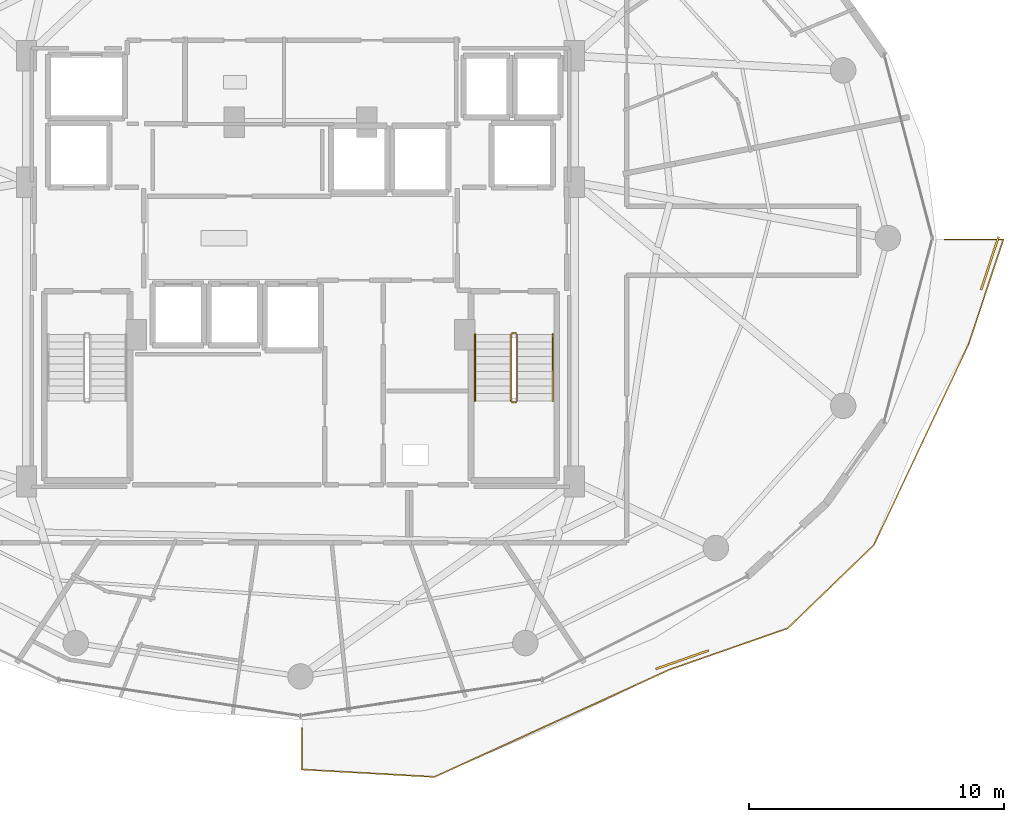
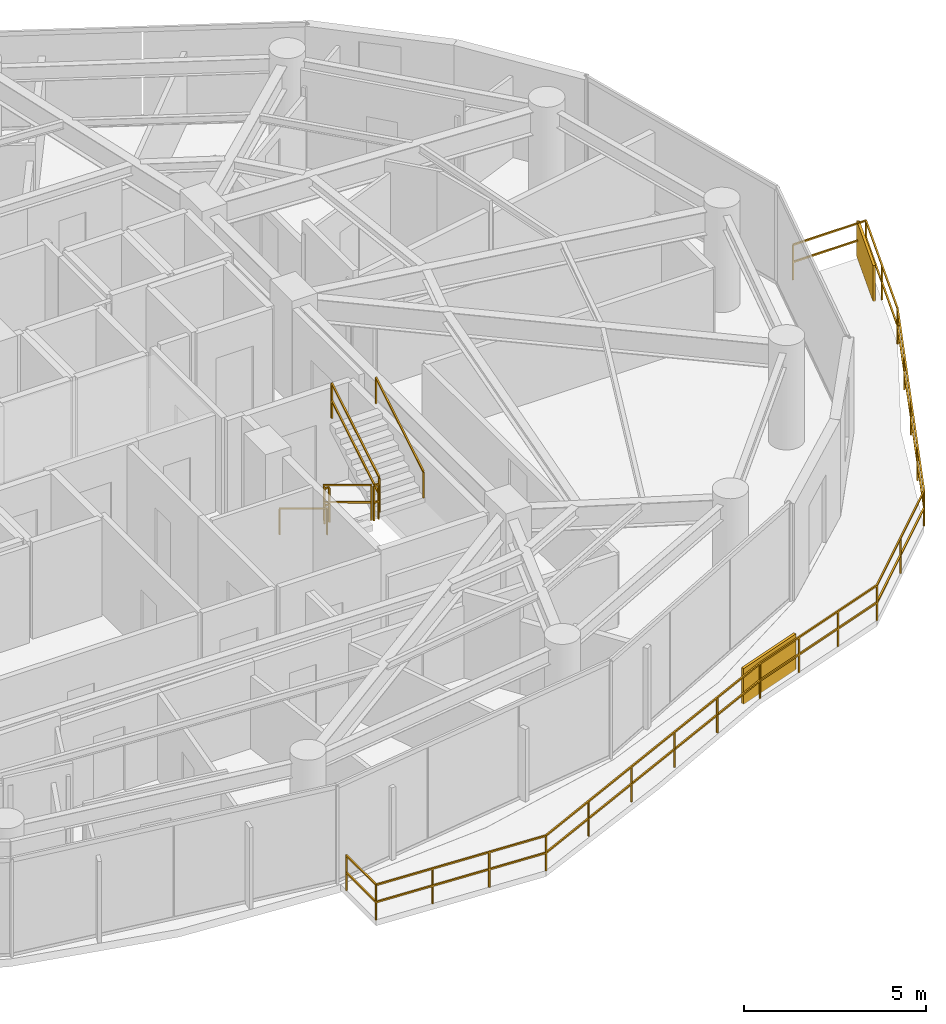
# One storey, part 27 of 29: 8 railings, 2 shading devices.
"""IFC4 building model written with IfcOpenShell, lengths in metres."""

from ifc_helpers import new_model, si_unit, direction, frame, origin, origin_2d, place, context, subcontext, project, spatial, rectangle, extrude, material, type_object, element, save


model = new_model("IFC4")

# Units and contexts
model_context = context("Model", 3, precision=1e-05, world=origin(), true_north=direction((0.0, 1.0)))
body_context = subcontext(model_context, "Body", "Model", "MODEL_VIEW")
ifc_project = project(units=[si_unit("LENGTHUNIT", "METRE"), si_unit("AREAUNIT", "SQUARE_METRE"), si_unit("VOLUMEUNIT", "CUBIC_METRE"), si_unit("PLANEANGLEUNIT", "RADIAN"), si_unit("MASSUNIT", "GRAM", prefix="KILO")], contexts=[model_context])

# Site, building, storey
site_placement = place(None, origin())
site = spatial("IfcSite", under=ifc_project, at=site_placement, CompositionType="ELEMENT")
building_placement = place(site_placement, origin())
building = spatial("IfcBuilding", under=site, at=building_placement, Name="Vorneva Point Tower", CompositionType="ELEMENT")
storey_placement = place(building_placement, frame((0.0, 0.0, 150.10009765625)))
storey = spatial("IfcBuildingStorey", under=building, at=storey_placement, Name="L40", CompositionType="ELEMENT", Elevation=150.10009765625)

# Railings
ifc_material_1 = material(Name="Pale anodised aluminium", Category="aluminium")
railing_type_1 = type_object("IfcRailingType", Name="RL-BAL-1200", PredefinedType="BALUSTRADE", material=ifc_material_1)
railing_1_placement = place(storey_placement, frame((64.224609375, 21.852294921875, 0.0)))
element("IfcRailing", 1, at=railing_1_placement, inside=storey, type_object=railing_type_1, Name="L40 Wave Balcony Balustrade SE.1", PredefinedType="BALUSTRADE", context=body_context, shape_type="SweptSolid", body=[
    extrude(rectangle(XDim=0.048095703125, YDim=0.048095703125, at=origin_2d()), frame((0.0, 0.0, 1.17578125), z_axis=(0.314768350801, 0.949168523148, 0.0), x_axis=(-0.949168523148, 0.314768350801, 0.0)), (0.0, 0.0, 1.0), 4.317138671875),
    extrude(rectangle(XDim=0.048095703125, YDim=0.048095703125, at=origin_2d()), frame((0.0, 0.0, 0.60009765625), z_axis=(0.314768350801, 0.949168523148, 0.0), x_axis=(-0.949168523148, 0.314768350801, 0.0)), (0.0, 0.0, 1.0), 4.317138671875),
    extrude(rectangle(XDim=0.048095703125, YDim=0.048095703125, at=origin_2d()), frame((1.35888671875, 4.09765625, 1.17578125), z_axis=(-1.0, 0.0, 0.0), x_axis=(0.0, -1.0, 0.0)), (0.0, 0.0, 1.0), 2.3173828125),
    extrude(rectangle(XDim=0.048095703125, YDim=0.048095703125, at=origin_2d()), frame((1.35888671875, 4.09765625, 0.60009765625), z_axis=(-1.0, 0.0, 0.0), x_axis=(0.0, -1.0, 0.0)), (0.0, 0.0, 1.0), 2.3173828125),
    extrude(rectangle(XDim=0.0419921875, YDim=0.0419921875, at=origin_2d()), origin(), (0.0, 0.0, 1.0), 1.15185546875),
    extrude(rectangle(XDim=0.0419921875, YDim=0.0419921875, at=origin_2d()), frame((0.679443359375, 2.048828125, 0.0)), (0.0, 0.0, 1.0), 1.15185546875),
    extrude(rectangle(XDim=0.0419921875, YDim=0.0419921875, at=origin_2d()), frame((1.35888671875, 4.09765625, 0.0)), (0.0, 0.0, 1.0), 1.15185546875),
    extrude(rectangle(XDim=0.0419921875, YDim=0.0419921875, at=origin_2d()), frame((-0.95849609375, 4.09765625, 0.0)), (0.0, 0.0, 1.0), 1.15185546875),
])
railing_2_placement = place(storey_placement, frame((38.050048828125, 6.78271484375, 0.0)))
element("IfcRailing", 2, at=railing_2_placement, inside=storey, type_object=railing_type_1, Name="L40 Wave Balcony Balustrade SE.2", PredefinedType="BALUSTRADE", context=body_context, shape_type="SweptSolid", body=[
    extrude(rectangle(XDim=0.048095703125, YDim=0.048095703125, at=origin_2d()), frame((0.0, 0.0, 1.17578125), z_axis=(0.0, -1.0, 0.0), x_axis=(1.0, 0.0, 0.0)), (0.0, 0.0, 1.0), 1.635498046875),
    extrude(rectangle(XDim=0.048095703125, YDim=0.048095703125, at=origin_2d()), frame((0.0, 0.0, 0.60009765625), z_axis=(0.0, -1.0, 0.0), x_axis=(1.0, 0.0, 0.0)), (0.0, 0.0, 1.0), 1.635498046875),
    extrude(rectangle(XDim=0.048095703125, YDim=0.048095703125, at=origin_2d()), frame((0.0, -1.635498046875, 1.17578125), z_axis=(0.998441147821, -0.055814642676, 0.0), x_axis=(0.055814642676, 0.998441147821, 0.0)), (0.0, 0.0, 1.0), 5.21826171875),
    extrude(rectangle(XDim=0.048095703125, YDim=0.048095703125, at=origin_2d()), frame((0.0, -1.635498046875, 0.60009765625), z_axis=(0.998441147821, -0.055814642676, 0.0), x_axis=(0.055814642676, 0.998441147821, 0.0)), (0.0, 0.0, 1.0), 5.21826171875),
    extrude(rectangle(XDim=0.048095703125, YDim=0.048095703125, at=origin_2d()), frame((5.210205078125, -1.9267578125, 1.17578125), z_axis=(0.909685431794, 0.415297983599, 0.0), x_axis=(-0.415297983599, 0.909685431794, 0.0)), (0.0, 0.0, 1.0), 10.13427734375),
    extrude(rectangle(XDim=0.048095703125, YDim=0.048095703125, at=origin_2d()), frame((5.210205078125, -1.9267578125, 0.60009765625), z_axis=(0.909685431794, 0.415297983599, 0.0), x_axis=(-0.415297983599, 0.909685431794, 0.0)), (0.0, 0.0, 1.0), 10.13427734375),
    extrude(rectangle(XDim=0.048095703125, YDim=0.048095703125, at=origin_2d()), frame((14.42919921875, 2.281982421875, 1.17578125), z_axis=(0.94396750054, 0.33003841886, 0.0), x_axis=(-0.33003841886, 0.94396750054, 0.0)), (0.0, 0.0, 1.0), 4.914794921875),
    extrude(rectangle(XDim=0.048095703125, YDim=0.048095703125, at=origin_2d()), frame((14.42919921875, 2.281982421875, 0.60009765625), z_axis=(0.94396750054, 0.33003841886, 0.0), x_axis=(-0.33003841886, 0.94396750054, 0.0)), (0.0, 0.0, 1.0), 4.914794921875),
    extrude(rectangle(XDim=0.048095703125, YDim=0.048095703125, at=origin_2d()), frame((19.068603515625, 3.904052734375, 1.17578125), z_axis=(0.719233181194, 0.694768760862, 0.0), x_axis=(-0.694768760862, 0.719233181194, 0.0)), (0.0, 0.0, 1.0), 4.7001953125),
    extrude(rectangle(XDim=0.048095703125, YDim=0.048095703125, at=origin_2d()), frame((19.068603515625, 3.904052734375, 0.60009765625), z_axis=(0.719233181194, 0.694768760862, 0.0), x_axis=(-0.694768760862, 0.719233181194, 0.0)), (0.0, 0.0, 1.0), 4.7001953125),
    extrude(rectangle(XDim=0.048095703125, YDim=0.048095703125, at=origin_2d()), frame((22.44921875, 7.169677734375, 1.17578125), z_axis=(0.426522468601, 0.90447696697, 0.0), x_axis=(-0.90447696697, 0.426522468601, 0.0)), (0.0, 0.0, 1.0), 8.734130859375),
    extrude(rectangle(XDim=0.048095703125, YDim=0.048095703125, at=origin_2d()), frame((22.44921875, 7.169677734375, 0.60009765625), z_axis=(0.426522468601, 0.90447696697, 0.0), x_axis=(-0.90447696697, 0.426522468601, 0.0)), (0.0, 0.0, 1.0), 8.734130859375),
    extrude(rectangle(XDim=0.0419921875, YDim=0.0419921875, at=origin_2d()), origin(), (0.0, 0.0, 1.0), 1.15185546875),
    extrude(rectangle(XDim=0.0419921875, YDim=0.0419921875, at=origin_2d()), frame((0.0, -1.635498046875, 0.0)), (0.0, 0.0, 1.0), 1.15185546875),
    extrude(rectangle(XDim=0.0419921875, YDim=0.0419921875, at=origin_2d()), frame((1.73681640625, -1.732666015625, 0.0)), (0.0, 0.0, 1.0), 1.15185546875),
    extrude(rectangle(XDim=0.0419921875, YDim=0.0419921875, at=origin_2d()), frame((3.473388671875, -1.82958984375, 0.0)), (0.0, 0.0, 1.0), 1.15185546875),
    extrude(rectangle(XDim=0.0419921875, YDim=0.0419921875, at=origin_2d()), frame((5.210205078125, -1.9267578125, 0.0)), (0.0, 0.0, 1.0), 1.15185546875),
    extrude(rectangle(XDim=0.0419921875, YDim=0.0419921875, at=origin_2d()), frame((7.053955078125, -1.0849609375, 0.0)), (0.0, 0.0, 1.0), 1.15185546875),
    extrude(rectangle(XDim=0.0419921875, YDim=0.0419921875, at=origin_2d()), frame((8.897705078125, -0.2431640625, 0.0)), (0.0, 0.0, 1.0), 1.15185546875),
    extrude(rectangle(XDim=0.0419921875, YDim=0.0419921875, at=origin_2d()), frame((10.74169921875, 0.598388671875, 0.0)), (0.0, 0.0, 1.0), 1.15185546875),
    extrude(rectangle(XDim=0.0419921875, YDim=0.0419921875, at=origin_2d()), frame((12.58544921875, 1.440185546875, 0.0)), (0.0, 0.0, 1.0), 1.15185546875),
    extrude(rectangle(XDim=0.0419921875, YDim=0.0419921875, at=origin_2d()), frame((14.42919921875, 2.281982421875, 0.0)), (0.0, 0.0, 1.0), 1.15185546875),
    extrude(rectangle(XDim=0.0419921875, YDim=0.0419921875, at=origin_2d()), frame((15.9755859375, 2.82275390625, 0.0)), (0.0, 0.0, 1.0), 1.15185546875),
    extrude(rectangle(XDim=0.0419921875, YDim=0.0419921875, at=origin_2d()), frame((17.522216796875, 3.36328125, 0.0)), (0.0, 0.0, 1.0), 1.15185546875),
    extrude(rectangle(XDim=0.0419921875, YDim=0.0419921875, at=origin_2d()), frame((19.068603515625, 3.904052734375, 0.0)), (0.0, 0.0, 1.0), 1.15185546875),
    extrude(rectangle(XDim=0.0419921875, YDim=0.0419921875, at=origin_2d()), frame((20.7587890625, 5.536865234375, 0.0)), (0.0, 0.0, 1.0), 1.15185546875),
    extrude(rectangle(XDim=0.0419921875, YDim=0.0419921875, at=origin_2d()), frame((22.44921875, 7.169677734375, 0.0)), (0.0, 0.0, 1.0), 1.15185546875),
    extrude(rectangle(XDim=0.0419921875, YDim=0.0419921875, at=origin_2d()), frame((23.380615234375, 9.14453125, 0.0)), (0.0, 0.0, 1.0), 1.15185546875),
    extrude(rectangle(XDim=0.0419921875, YDim=0.0419921875, at=origin_2d()), frame((24.31201171875, 11.11962890625, 0.0)), (0.0, 0.0, 1.0), 1.15185546875),
    extrude(rectangle(XDim=0.0419921875, YDim=0.0419921875, at=origin_2d()), frame((25.2431640625, 13.0947265625, 0.0)), (0.0, 0.0, 1.0), 1.15185546875),
    extrude(rectangle(XDim=0.0419921875, YDim=0.0419921875, at=origin_2d()), frame((26.174560546875, 15.069580078125, 0.0)), (0.0, 0.0, 1.0), 1.15185546875),
])
ifc_material_2 = material(Name="Brushed stainless steel S304", Category="steel")
railing_type_2 = type_object("IfcRailingType", Name="RL-HND-920", PredefinedType="HANDRAIL", material=ifc_material_2)
railing_3_placement = place(storey_placement, frame((44.85009765625, 22.219970703125, 0.1748046875)))
element("IfcRailing", 3, at=railing_3_placement, inside=storey, type_object=railing_type_2, Name="L40 ST2 stair handrail 1", PredefinedType="HANDRAIL", context=body_context, shape_type="SweptSolid", body=[
    extrude(rectangle(XDim=0.048095703125, YDim=0.048095703125, at=origin_2d()), frame((0.0, 0.0, 0.8759765625), z_axis=(0.0, -0.856147343639, 0.516731773728), x_axis=(1.0, 0.0, 0.0)), (0.0, 0.0, 1.0), 3.04833984375),
    extrude(rectangle(XDim=0.0419921875, YDim=0.0419921875, at=origin_2d()), origin(), (0.0, 0.0, 1.0), 0.851806640625),
    extrude(rectangle(XDim=0.0419921875, YDim=0.0419921875, at=origin_2d()), frame((0.0, -2.60986328125, 1.5751953125)), (0.0, 0.0, 1.0), 0.851806640625),
])
railing_4_placement = place(storey_placement, frame((47.89990234375, 19.610107421875, 1.9248046875)))
element("IfcRailing", 4, at=railing_4_placement, inside=storey, type_object=railing_type_2, Name="L40 ST2 stair handrail 2", PredefinedType="HANDRAIL", context=body_context, shape_type="SweptSolid", body=[
    extrude(rectangle(XDim=0.048095703125, YDim=0.048095703125, at=origin_2d()), frame((0.0, 0.0, 0.8759765625), z_axis=(0.0, 0.856147343639, 0.516731773728), x_axis=(-1.0, 0.0, 0.0)), (0.0, 0.0, 1.0), 3.04833984375),
    extrude(rectangle(XDim=0.0419921875, YDim=0.0419921875, at=origin_2d()), origin(), (0.0, 0.0, 1.0), 0.851806640625),
    extrude(rectangle(XDim=0.0419921875, YDim=0.0419921875, at=origin_2d()), frame((0.0, 2.60986328125, 1.5751953125)), (0.0, 0.0, 1.0), 0.851806640625),
])
railing_type_3 = type_object("IfcRailingType", Name="RL-STG-1100", PredefinedType="GUARDRAIL", material=ifc_material_2)
railing_5_placement = place(storey_placement, frame((46.25, 22.219970703125, 0.1748046875)))
element("IfcRailing", 5, at=railing_5_placement, inside=storey, type_object=railing_type_3, Name="L40 ST2 stair guard 1", PredefinedType="GUARDRAIL", context=body_context, shape_type="SweptSolid", body=[
    extrude(rectangle(XDim=0.048095703125, YDim=0.048095703125, at=origin_2d()), frame((0.0, 0.0, 1.17578125), z_axis=(0.0, -0.856147343639, 0.516731773728), x_axis=(1.0, 0.0, 0.0)), (0.0, 0.0, 1.0), 3.04833984375),
    extrude(rectangle(XDim=0.048095703125, YDim=0.048095703125, at=origin_2d()), frame((0.0, 0.0, 0.60009765625), z_axis=(0.0, -0.856147343639, 0.516731773728), x_axis=(1.0, 0.0, 0.0)), (0.0, 0.0, 1.0), 3.04833984375),
    extrude(rectangle(XDim=0.0419921875, YDim=0.0419921875, at=origin_2d()), origin(), (0.0, 0.0, 1.0), 1.15185546875),
    extrude(rectangle(XDim=0.0419921875, YDim=0.0419921875, at=origin_2d()), frame((0.0, -2.60986328125, 1.5751953125)), (0.0, 0.0, 1.0), 1.15185546875),
])
railing_6_placement = place(storey_placement, frame((46.300048828125, 19.56005859375, 1.75)))
element("IfcRailing", 6, at=railing_6_placement, inside=storey, type_object=railing_type_3, Name="L40 ST2 stair guard 2", PredefinedType="GUARDRAIL", context=body_context, shape_type="SweptSolid", body=[
    extrude(rectangle(XDim=0.048095703125, YDim=0.048095703125, at=origin_2d()), frame((0.0, 0.0, 1.17578125), z_axis=(1.0, 0.0, 0.0), x_axis=(0.0, 1.0, 0.0)), (0.0, 0.0, 1.0), 0.14990234375),
    extrude(rectangle(XDim=0.048095703125, YDim=0.048095703125, at=origin_2d()), frame((0.0, 0.0, 0.60009765625), z_axis=(1.0, 0.0, 0.0), x_axis=(0.0, 1.0, 0.0)), (0.0, 0.0, 1.0), 0.14990234375),
    extrude(rectangle(XDim=0.0419921875, YDim=0.0419921875, at=origin_2d()), origin(), (0.0, 0.0, 1.0), 1.15185546875),
    extrude(rectangle(XDim=0.0419921875, YDim=0.0419921875, at=origin_2d()), frame((0.14990234375, 0.0, 0.0)), (0.0, 0.0, 1.0), 1.15185546875),
])
railing_7_placement = place(storey_placement, frame((46.5, 19.610107421875, 1.9248046875)))
element("IfcRailing", 7, at=railing_7_placement, inside=storey, type_object=railing_type_3, Name="L40 ST2 stair guard 3", PredefinedType="GUARDRAIL", context=body_context, shape_type="SweptSolid", body=[
    extrude(rectangle(XDim=0.048095703125, YDim=0.048095703125, at=origin_2d()), frame((0.0, 0.0, 1.17578125), z_axis=(0.0, 0.856147343639, 0.516731773728), x_axis=(-1.0, 0.0, 0.0)), (0.0, 0.0, 1.0), 3.04833984375),
    extrude(rectangle(XDim=0.048095703125, YDim=0.048095703125, at=origin_2d()), frame((0.0, 0.0, 0.60009765625), z_axis=(0.0, 0.856147343639, 0.516731773728), x_axis=(-1.0, 0.0, 0.0)), (0.0, 0.0, 1.0), 3.04833984375),
    extrude(rectangle(XDim=0.0419921875, YDim=0.0419921875, at=origin_2d()), origin(), (0.0, 0.0, 1.0), 1.15185546875),
    extrude(rectangle(XDim=0.0419921875, YDim=0.0419921875, at=origin_2d()), frame((0.0, 2.60986328125, 1.5751953125)), (0.0, 0.0, 1.0), 1.15185546875),
])
railing_8_placement = place(storey_placement, frame((46.300048828125, 22.27001953125, 0.0)))
element("IfcRailing", 8, at=railing_8_placement, inside=storey, type_object=railing_type_3, Name="L40 ST2 stair guard 4", PredefinedType="GUARDRAIL", context=body_context, shape_type="SweptSolid", body=[
    extrude(rectangle(XDim=0.048095703125, YDim=0.048095703125, at=origin_2d()), frame((0.0, 0.0, 1.17578125), z_axis=(1.0, 0.0, 0.0), x_axis=(0.0, 1.0, 0.0)), (0.0, 0.0, 1.0), 0.14990234375),
    extrude(rectangle(XDim=0.048095703125, YDim=0.048095703125, at=origin_2d()), frame((0.0, 0.0, 0.60009765625), z_axis=(1.0, 0.0, 0.0), x_axis=(0.0, 1.0, 0.0)), (0.0, 0.0, 1.0), 0.14990234375),
    extrude(rectangle(XDim=0.0419921875, YDim=0.0419921875, at=origin_2d()), origin(), (0.0, 0.0, 1.0), 1.15185546875),
    extrude(rectangle(XDim=0.0419921875, YDim=0.0419921875, at=origin_2d()), frame((0.14990234375, 0.0, 0.0)), (0.0, 0.0, 1.0), 1.15185546875),
])

# Shading devices
shading_device_type = type_object("IfcShadingDeviceType", Name="SHD-JAL-1200", PredefinedType="JALOUSIE", material=ifc_material_1)
for number, where, z_axis, x_axis, name in (
    (9, (65.048828125, 25.0087890625, -0.02001953125), (0.0, 0.0, 1.0), (0.314738036074, 0.949178575742, 0.0), "L40 Balcony Vertical-Greenery Planter Screen SE.1"),
    (10, (52.97998046875, 9.45458984375, -0.02001953125), (0.0, 0.0, 1.0), (0.94396811905, 0.330036649809, 0.0), "L40 Balcony Vertical-Greenery Planter Screen SE.2"),
):
    element("IfcShadingDevice", number, at=place(storey_placement, frame(where, z_axis=z_axis, x_axis=x_axis)), inside=storey, type_object=shading_device_type, Name=name, PredefinedType="JALOUSIE", context=body_context, shape_type="SweptSolid", body=[
        extrude(rectangle(XDim=2.199951171875, YDim=0.080078125, at=origin_2d()), origin(), (0.0, 0.0, 1.0), 1.199951171875),
    ])

save(model, "model.ifc")
